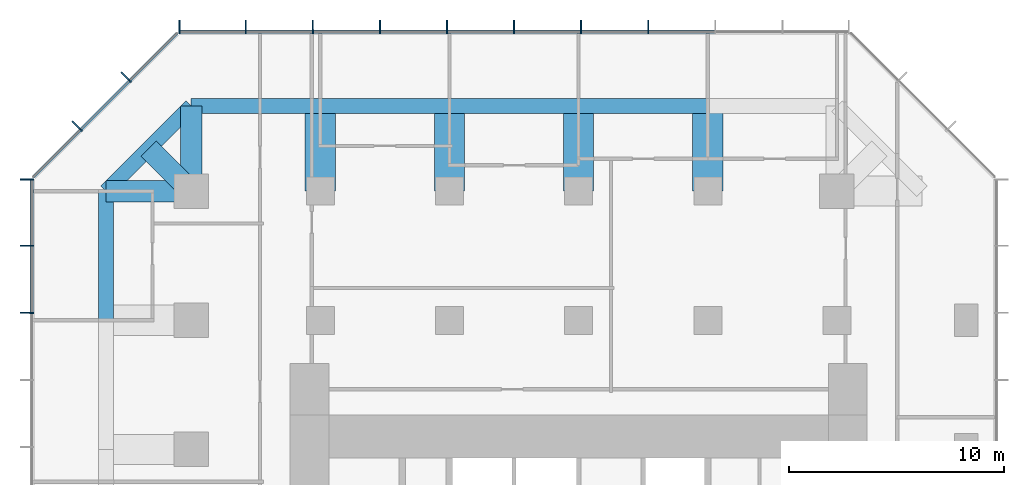
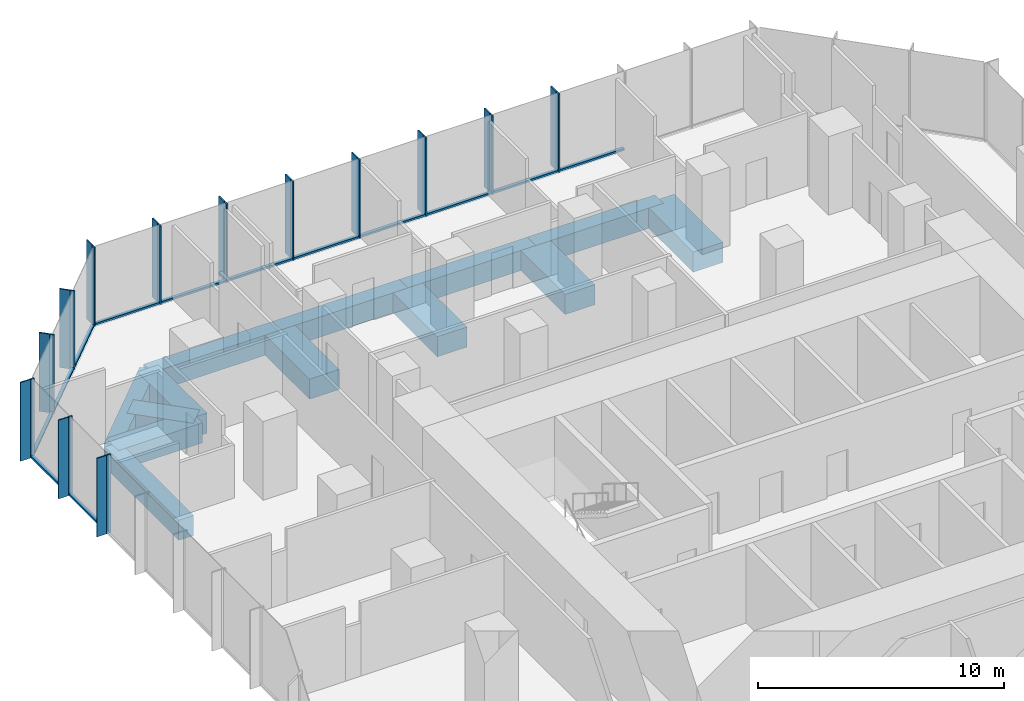
# One storey, part 5 of 11: 39 members, 13 beams, 3 elements without a shape of their own.
"""IFC4 building model written with IfcOpenShell, lengths in metres."""

from ifc_helpers import new_model, si_unit, direction, frame, origin, origin_2d, place, context, subcontext, project, spatial, rectangle, extrude, material, layer, layer_set, material_profile, profile_set, type_object, element, aggregate, save


model = new_model("IFC4")

# Units and contexts
model_context = context("Model", 3, precision=1e-05, world=origin(), true_north=direction((0.0, 1.0)))
body_context = subcontext(model_context, "Body", "Model", "MODEL_VIEW")
ifc_project = project(units=[si_unit("LENGTHUNIT", "METRE"), si_unit("AREAUNIT", "SQUARE_METRE"), si_unit("VOLUMEUNIT", "CUBIC_METRE"), si_unit("PLANEANGLEUNIT", "RADIAN"), si_unit("MASSUNIT", "GRAM", prefix="KILO")], contexts=[model_context])

# Site, building, storey
site_placement = place(None, origin())
site = spatial("IfcSite", under=ifc_project, at=site_placement, CompositionType="ELEMENT")
building_placement = place(site_placement, origin())
building = spatial("IfcBuilding", under=site, at=building_placement, Name="Highveld Stack Headquarters", CompositionType="ELEMENT")
storey_placement = place(building_placement, frame((0.0, 0.0, 192.800048828125)))
storey = spatial("IfcBuildingStorey", under=building, at=storey_placement, Name="L47", CompositionType="ELEMENT", Elevation=192.800048828125)

# Beams
ifc_material_1 = material(Name="Concrete C60/75", Category="concrete")
ifc_material_profile_1 = material_profile(ifc_material_1, rectangle(XDim=1.0, YDim=1.0, at=origin_2d()), Name="RC 1000x1000")
ifc_profile_set_1 = profile_set([ifc_material_profile_1], Name="Concrete C60/75")
beam_type_1 = type_object("IfcBeamType", Name="CANTILEVER RIB RC 1000x1000", PredefinedType="USERDEFINED", material=ifc_profile_set_1)
for number, where, z_axis, x_axis, name in (
    (1, (-12.0, 24.0, -0.75), (-1.0, 0.0, 0.0), (0.0, -1.0, 0.0), "Cantilever rib 4/J L47"),
    (2, (-12.0, 24.0, -0.75), (0.0, 1.0, 0.0), (-1.0, 0.0, 0.0), "Cantilever rib 4/J L47"),
):
    element("IfcBeam", number, at=place(storey_placement, frame(where, z_axis=z_axis, x_axis=x_axis)), inside=storey, type_object=beam_type_1, Name=name, ObjectType="CANTILEVER RIB", PredefinedType="USERDEFINED", context=body_context, shape_type="SweptSolid", body=[
        extrude(rectangle(XDim=1.0, YDim=1.0, at=origin_2d()), origin(), (0.0, 0.0, 1.0), 3.949951171875),
    ])
beam_1_placement = place(storey_placement, frame((-12.0, 24.0, -0.75), z_axis=(-0.707106781187, 0.707106781187, 0.0), x_axis=(-0.707106781187, -0.707106781187, 0.0)))
element("IfcBeam", 3, at=beam_1_placement, inside=storey, type_object=beam_type_1, Name="Cantilever rib 4/J L47", ObjectType="CANTILEVER RIB", PredefinedType="USERDEFINED", context=body_context, shape_type="SweptSolid", body=[
    extrude(rectangle(XDim=1.0, YDim=1.0, at=origin_2d()), origin(), (0.0, 0.0, 1.0), 2.793212890625),
])
ifc_material_2 = material(Name="Concrete C60/75", Category="concrete")
ifc_material_profile_2 = material_profile(ifc_material_2, rectangle(XDim=1.39990234375, YDim=1.0, at=origin_2d()), Name="RC 1400x1000")
ifc_profile_set_2 = profile_set([ifc_material_profile_2], Name="Concrete C60/75")
beam_type_2 = type_object("IfcBeamType", Name="CANTILEVER RIB RC 1400x1000", PredefinedType="USERDEFINED", material=ifc_profile_set_2)
for number, where, z_axis, x_axis, name in (
    (4, (-6.0, 24.0, -0.75), (0.0, 1.0, 0.0), (-1.0, 0.0, 0.0), "Cantilever rib 5/J L47"),
    (5, (0.0, 24.0, -0.75), (0.0, 1.0, 0.0), (-1.0, 0.0, 0.0), "Cantilever rib 6/J L47"),
    (6, (6.0, 24.0, -0.75), (0.0, 1.0, 0.0), (-1.0, 0.0, 0.0), "Cantilever rib 7/J L47"),
    (7, (12.0, 24.0, -0.75), (0.0, 1.0, 0.0), (-1.0, 0.0, 0.0), "Cantilever rib 8/J L47"),
):
    element("IfcBeam", number, at=place(storey_placement, frame(where, z_axis=z_axis, x_axis=x_axis)), inside=storey, type_object=beam_type_2, Name=name, ObjectType="CANTILEVER RIB", PredefinedType="USERDEFINED", context=body_context, shape_type="SweptSolid", body=[
        extrude(rectangle(XDim=1.39990234375, YDim=1.0, at=origin_2d()), origin(), (0.0, 0.0, 1.0), 3.949951171875),
    ])

# Curtain wall, members
ifc_material_3 = material(Name="Aluminium bronze anodised", Category="aluminium")
ifc_layer_1 = layer(ifc_material_3, 0.199951171875)
ifc_layer_set_1 = layer_set([ifc_layer_1], Name="Aluminium bronze anodised")
curtain_wall_type_1 = type_object("IfcCurtainWallType", Name="CW1 TOWER UNITISED CURTAIN WALL", PredefinedType="NOTDEFINED", material=ifc_layer_set_1)
curtain_wall_1_placement = place(storey_placement, origin())
curtain_wall_1 = element("IfcCurtainWall", 8, at=curtain_wall_1_placement, inside=storey, type_object=curtain_wall_type_1, Name="Curtain wall CW1 L47 N", PredefinedType="NOTDEFINED")
ifc_material_4 = material(Name="Aluminium bronze anodised", Category="aluminium")
ifc_material_profile_3 = material_profile(ifc_material_4, rectangle(XDim=0.449951171875, YDim=0.06005859375, at=origin_2d()), Name="FIN 450x60")
ifc_profile_set_3 = profile_set([ifc_material_profile_3], Name="Aluminium bronze anodised")
member_type_1 = type_object("IfcMemberType", Name="CW1 BRONZE FIN 450x60", PredefinedType="USERDEFINED", material=ifc_profile_set_3)
member_1_placement = place(storey_placement, frame((9.23193359375, 31.72509765625, 0.0), z_axis=(0.0, 0.0, 1.0), x_axis=(0.0, -1.0, 0.0)))
member_1 = element("IfcMember", 9, at=member_1_placement, type_object=member_type_1, Name="CW1 fin L47 4", ObjectType="FIN", PredefinedType="USERDEFINED", context=body_context, shape_type="SweptSolid", body=[
    extrude(rectangle(XDim=0.449951171875, YDim=0.06005859375, at=origin_2d()), origin(), (0.0, 0.0, 1.0), 3.89990234375),
])
member_2_placement = place(storey_placement, frame((6.115966796875, 31.72509765625, 0.0), z_axis=(0.0, 0.0, 1.0), x_axis=(0.0, -1.0, 0.0)))
member_2 = element("IfcMember", 10, at=member_2_placement, type_object=member_type_1, Name="CW1 fin L47 5", ObjectType="FIN", PredefinedType="USERDEFINED", context=body_context, shape_type="SweptSolid", body=[
    extrude(rectangle(XDim=0.449951171875, YDim=0.06005859375, at=origin_2d()), origin(), (0.0, 0.0, 1.0), 3.89990234375),
])
member_3_placement = place(storey_placement, frame((3.0, 31.72509765625, 0.0), z_axis=(0.0, 0.0, 1.0), x_axis=(0.0, -1.0, 0.0)))
member_3 = element("IfcMember", 11, at=member_3_placement, type_object=member_type_1, Name="CW1 fin L47 6", ObjectType="FIN", PredefinedType="USERDEFINED", context=body_context, shape_type="SweptSolid", body=[
    extrude(rectangle(XDim=0.449951171875, YDim=0.06005859375, at=origin_2d()), origin(), (0.0, 0.0, 1.0), 3.89990234375),
])
member_4_placement = place(storey_placement, frame((-0.115966796875, 31.72509765625, 0.0), z_axis=(0.0, 0.0, 1.0), x_axis=(0.0, -1.0, 0.0)))
member_4 = element("IfcMember", 12, at=member_4_placement, type_object=member_type_1, Name="CW1 fin L47 7", ObjectType="FIN", PredefinedType="USERDEFINED", context=body_context, shape_type="SweptSolid", body=[
    extrude(rectangle(XDim=0.449951171875, YDim=0.06005859375, at=origin_2d()), origin(), (0.0, 0.0, 1.0), 3.89990234375),
])
member_5_placement = place(storey_placement, frame((-3.23193359375, 31.72509765625, 0.0), z_axis=(0.0, 0.0, 1.0), x_axis=(0.0, -1.0, 0.0)))
member_5 = element("IfcMember", 13, at=member_5_placement, type_object=member_type_1, Name="CW1 fin L47 8", ObjectType="FIN", PredefinedType="USERDEFINED", context=body_context, shape_type="SweptSolid", body=[
    extrude(rectangle(XDim=0.449951171875, YDim=0.06005859375, at=origin_2d()), origin(), (0.0, 0.0, 1.0), 3.89990234375),
])
member_6_placement = place(storey_placement, frame((-6.347900390625, 31.72509765625, 0.0), z_axis=(0.0, 0.0, 1.0), x_axis=(0.0, -1.0, 0.0)))
member_6 = element("IfcMember", 14, at=member_6_placement, type_object=member_type_1, Name="CW1 fin L47 9", ObjectType="FIN", PredefinedType="USERDEFINED", context=body_context, shape_type="SweptSolid", body=[
    extrude(rectangle(XDim=0.449951171875, YDim=0.06005859375, at=origin_2d()), origin(), (0.0, 0.0, 1.0), 3.89990234375),
])
member_7_placement = place(storey_placement, frame((-9.4638671875, 31.72509765625, 0.0), z_axis=(0.0, 0.0, 1.0), x_axis=(0.0, -1.0, 0.0)))
member_7 = element("IfcMember", 15, at=member_7_placement, type_object=member_type_1, Name="CW1 fin L47 10", ObjectType="FIN", PredefinedType="USERDEFINED", context=body_context, shape_type="SweptSolid", body=[
    extrude(rectangle(XDim=0.449951171875, YDim=0.06005859375, at=origin_2d()), origin(), (0.0, 0.0, 1.0), 3.89990234375),
])
member_8_placement = place(storey_placement, frame((-12.54736328125, 31.72509765625, 0.0), z_axis=(0.0, 0.0, 1.0), x_axis=(0.0, -1.0, 0.0)))
member_8 = element("IfcMember", 16, at=member_8_placement, type_object=member_type_1, Name="CW1 fin L47 11", ObjectType="FIN", PredefinedType="USERDEFINED", context=body_context, shape_type="SweptSolid", body=[
    extrude(rectangle(XDim=0.449951171875, YDim=0.06005859375, at=origin_2d()), origin(), (0.0, 0.0, 1.0), 3.89990234375),
])

curtain_wall_2_placement = place(storey_placement, origin())
curtain_wall_2 = element("IfcCurtainWall", 17, at=curtain_wall_2_placement, inside=storey, type_object=curtain_wall_type_1, Name="Curtain wall CW1 L47 W", PredefinedType="NOTDEFINED")
member_9_placement = place(storey_placement, frame((-19.72509765625, 24.54736328125, 0.0), z_axis=(0.0, 0.0, 1.0), x_axis=(1.0, 0.0, 0.0)))
member_9 = element("IfcMember", 18, at=member_9_placement, type_object=member_type_1, Name="CW1 fin L47 1", ObjectType="FIN", PredefinedType="USERDEFINED", context=body_context, shape_type="SweptSolid", body=[
    extrude(rectangle(XDim=0.449951171875, YDim=0.06005859375, at=origin_2d()), origin(), (0.0, 0.0, 1.0), 3.89990234375),
])
member_10_placement = place(storey_placement, frame((-19.72509765625, 21.4638671875, 0.0), z_axis=(0.0, 0.0, 1.0), x_axis=(1.0, 0.0, 0.0)))
member_10 = element("IfcMember", 19, at=member_10_placement, type_object=member_type_1, Name="CW1 fin L47 2", ObjectType="FIN", PredefinedType="USERDEFINED", context=body_context, shape_type="SweptSolid", body=[
    extrude(rectangle(XDim=0.449951171875, YDim=0.06005859375, at=origin_2d()), origin(), (0.0, 0.0, 1.0), 3.89990234375),
])
member_11_placement = place(storey_placement, frame((-19.72509765625, 18.347900390625, 0.0), z_axis=(0.0, 0.0, 1.0), x_axis=(1.0, 0.0, 0.0)))
member_11 = element("IfcMember", 20, at=member_11_placement, type_object=member_type_1, Name="CW1 fin L47 3", ObjectType="FIN", PredefinedType="USERDEFINED", context=body_context, shape_type="SweptSolid", body=[
    extrude(rectangle(XDim=0.449951171875, YDim=0.06005859375, at=origin_2d()), origin(), (0.0, 0.0, 1.0), 3.89990234375),
])

# Member
ifc_material_5 = material(Name="Aluminium bronze anodised", Category="aluminium")
ifc_material_profile_4 = material_profile(ifc_material_5, rectangle(XDim=0.199951171875, YDim=0.06494140625, at=origin_2d()), Name="CW1 MULLION 65x200")
ifc_profile_set_4 = profile_set([ifc_material_profile_4], Name="Aluminium bronze anodised")
member_type_2 = type_object("IfcMemberType", Name="CW1 MULLION 65x200", PredefinedType="MULLION", material=ifc_profile_set_4)
member_12_placement = place(storey_placement, frame((9.23193359375, 31.39990234375, 0.0), z_axis=(0.0, 0.0, 1.0), x_axis=(0.0, -1.0, 0.0)))
member_12 = element("IfcMember", 21, at=member_12_placement, type_object=member_type_2, Name="CW1 mullion L47 4", PredefinedType="MULLION", context=body_context, shape_type="SweptSolid", body=[
    extrude(rectangle(XDim=0.199951171875, YDim=0.06494140625, at=origin_2d()), origin(), (0.0, 0.0, 1.0), 3.89990234375),
])

member_13_placement = place(storey_placement, frame((6.115966796875, 31.39990234375, 0.0), z_axis=(0.0, 0.0, 1.0), x_axis=(0.0, -1.0, 0.0)))
member_13 = element("IfcMember", 22, at=member_13_placement, type_object=member_type_2, Name="CW1 mullion L47 5", PredefinedType="MULLION", context=body_context, shape_type="SweptSolid", body=[
    extrude(rectangle(XDim=0.199951171875, YDim=0.06494140625, at=origin_2d()), origin(), (0.0, 0.0, 1.0), 3.89990234375),
])

member_14_placement = place(storey_placement, frame((3.0, 31.39990234375, 0.0), z_axis=(0.0, 0.0, 1.0), x_axis=(0.0, -1.0, 0.0)))
member_14 = element("IfcMember", 23, at=member_14_placement, type_object=member_type_2, Name="CW1 mullion L47 6", PredefinedType="MULLION", context=body_context, shape_type="SweptSolid", body=[
    extrude(rectangle(XDim=0.199951171875, YDim=0.06494140625, at=origin_2d()), origin(), (0.0, 0.0, 1.0), 3.89990234375),
])

member_15_placement = place(storey_placement, frame((-0.115966796875, 31.39990234375, 0.0), z_axis=(0.0, 0.0, 1.0), x_axis=(0.0, -1.0, 0.0)))
member_15 = element("IfcMember", 24, at=member_15_placement, type_object=member_type_2, Name="CW1 mullion L47 7", PredefinedType="MULLION", context=body_context, shape_type="SweptSolid", body=[
    extrude(rectangle(XDim=0.199951171875, YDim=0.06494140625, at=origin_2d()), origin(), (0.0, 0.0, 1.0), 3.89990234375),
])

member_16_placement = place(storey_placement, frame((-3.23193359375, 31.39990234375, 0.0), z_axis=(0.0, 0.0, 1.0), x_axis=(0.0, -1.0, 0.0)))
member_16 = element("IfcMember", 25, at=member_16_placement, type_object=member_type_2, Name="CW1 mullion L47 8", PredefinedType="MULLION", context=body_context, shape_type="SweptSolid", body=[
    extrude(rectangle(XDim=0.199951171875, YDim=0.06494140625, at=origin_2d()), origin(), (0.0, 0.0, 1.0), 3.89990234375),
])

member_17_placement = place(storey_placement, frame((-6.347900390625, 31.39990234375, 0.0), z_axis=(0.0, 0.0, 1.0), x_axis=(0.0, -1.0, 0.0)))
member_17 = element("IfcMember", 26, at=member_17_placement, type_object=member_type_2, Name="CW1 mullion L47 9", PredefinedType="MULLION", context=body_context, shape_type="SweptSolid", body=[
    extrude(rectangle(XDim=0.199951171875, YDim=0.06494140625, at=origin_2d()), origin(), (0.0, 0.0, 1.0), 3.89990234375),
])

member_18_placement = place(storey_placement, frame((-9.4638671875, 31.39990234375, 0.0), z_axis=(0.0, 0.0, 1.0), x_axis=(0.0, -1.0, 0.0)))
member_18 = element("IfcMember", 27, at=member_18_placement, type_object=member_type_2, Name="CW1 mullion L47 10", PredefinedType="MULLION", context=body_context, shape_type="SweptSolid", body=[
    extrude(rectangle(XDim=0.199951171875, YDim=0.06494140625, at=origin_2d()), origin(), (0.0, 0.0, 1.0), 3.89990234375),
])

member_19_placement = place(storey_placement, frame((-12.54736328125, 31.39990234375, 0.0), z_axis=(0.0, 0.0, 1.0), x_axis=(0.0, -1.0, 0.0)))
member_19 = element("IfcMember", 28, at=member_19_placement, type_object=member_type_2, Name="CW1 mullion L47 11", PredefinedType="MULLION", context=body_context, shape_type="SweptSolid", body=[
    extrude(rectangle(XDim=0.199951171875, YDim=0.06494140625, at=origin_2d()), origin(), (0.0, 0.0, 1.0), 3.89990234375),
])

member_20_placement = place(storey_placement, frame((-19.39990234375, 24.54736328125, 0.0), z_axis=(0.0, 0.0, 1.0), x_axis=(1.0, 0.0, 0.0)))
member_20 = element("IfcMember", 29, at=member_20_placement, type_object=member_type_2, Name="CW1 mullion L47 1", PredefinedType="MULLION", context=body_context, shape_type="SweptSolid", body=[
    extrude(rectangle(XDim=0.199951171875, YDim=0.06494140625, at=origin_2d()), origin(), (0.0, 0.0, 1.0), 3.89990234375),
])

member_21_placement = place(storey_placement, frame((-19.39990234375, 21.4638671875, 0.0), z_axis=(0.0, 0.0, 1.0), x_axis=(1.0, 0.0, 0.0)))
member_21 = element("IfcMember", 30, at=member_21_placement, type_object=member_type_2, Name="CW1 mullion L47 2", PredefinedType="MULLION", context=body_context, shape_type="SweptSolid", body=[
    extrude(rectangle(XDim=0.199951171875, YDim=0.06494140625, at=origin_2d()), origin(), (0.0, 0.0, 1.0), 3.89990234375),
])

member_22_placement = place(storey_placement, frame((-19.39990234375, 18.347900390625, 0.0), z_axis=(0.0, 0.0, 1.0), x_axis=(1.0, 0.0, 0.0)))
member_22 = element("IfcMember", 31, at=member_22_placement, type_object=member_type_2, Name="CW1 mullion L47 3", PredefinedType="MULLION", context=body_context, shape_type="SweptSolid", body=[
    extrude(rectangle(XDim=0.199951171875, YDim=0.06494140625, at=origin_2d()), origin(), (0.0, 0.0, 1.0), 3.89990234375),
])

ifc_material_6 = material(Name="Aluminium bronze anodised", Category="aluminium")
ifc_material_profile_5 = material_profile(ifc_material_6, rectangle(XDim=0.14990234375, YDim=0.10009765625, at=origin_2d()), Name="CW1 TRANSOM 150x100")
ifc_profile_set_5 = profile_set([ifc_material_profile_5], Name="Aluminium bronze anodised")
member_type_3 = type_object("IfcMemberType", Name="CW1 STACK TRANSOM 150x100", PredefinedType="USERDEFINED", material=ifc_profile_set_5)
member_23_placement = place(storey_placement, frame((12.3154296875, 31.39990234375, 0.050048828125), z_axis=(-1.0, 0.0, 0.0), x_axis=(0.0, -1.0, 0.0)))
member_23 = element("IfcMember", 32, at=member_23_placement, type_object=member_type_3, Name="CW1 transom L47 3.1", ObjectType="TRANSOM", PredefinedType="USERDEFINED", context=body_context, shape_type="SweptSolid", body=[
    extrude(rectangle(XDim=0.14990234375, YDim=0.10009765625, at=origin_2d()), origin(), (0.0, 0.0, 1.0), 3.051025390625),
])

member_24_placement = place(storey_placement, frame((9.199462890625, 31.39990234375, 0.050048828125), z_axis=(-1.0, 0.0, 0.0), x_axis=(0.0, -1.0, 0.0)))
member_24 = element("IfcMember", 33, at=member_24_placement, type_object=member_type_3, Name="CW1 transom L47 4.1", ObjectType="TRANSOM", PredefinedType="USERDEFINED", context=body_context, shape_type="SweptSolid", body=[
    extrude(rectangle(XDim=0.14990234375, YDim=0.10009765625, at=origin_2d()), origin(), (0.0, 0.0, 1.0), 3.051025390625),
])

member_25_placement = place(storey_placement, frame((6.08349609375, 31.39990234375, 0.050048828125), z_axis=(-1.0, 0.0, 0.0), x_axis=(0.0, -1.0, 0.0)))
member_25 = element("IfcMember", 34, at=member_25_placement, type_object=member_type_3, Name="CW1 transom L47 5.1", ObjectType="TRANSOM", PredefinedType="USERDEFINED", context=body_context, shape_type="SweptSolid", body=[
    extrude(rectangle(XDim=0.14990234375, YDim=0.10009765625, at=origin_2d()), origin(), (0.0, 0.0, 1.0), 3.051025390625),
])

member_26_placement = place(storey_placement, frame((2.967529296875, 31.39990234375, 0.050048828125), z_axis=(-1.0, 0.0, 0.0), x_axis=(0.0, -1.0, 0.0)))
member_26 = element("IfcMember", 35, at=member_26_placement, type_object=member_type_3, Name="CW1 transom L47 6.1", ObjectType="TRANSOM", PredefinedType="USERDEFINED", context=body_context, shape_type="SweptSolid", body=[
    extrude(rectangle(XDim=0.14990234375, YDim=0.10009765625, at=origin_2d()), origin(), (0.0, 0.0, 1.0), 3.051025390625),
])

member_27_placement = place(storey_placement, frame((-0.1484375, 31.39990234375, 0.050048828125), z_axis=(-1.0, 0.0, 0.0), x_axis=(0.0, -1.0, 0.0)))
member_27 = element("IfcMember", 36, at=member_27_placement, type_object=member_type_3, Name="CW1 transom L47 7.1", ObjectType="TRANSOM", PredefinedType="USERDEFINED", context=body_context, shape_type="SweptSolid", body=[
    extrude(rectangle(XDim=0.14990234375, YDim=0.10009765625, at=origin_2d()), origin(), (0.0, 0.0, 1.0), 3.051025390625),
])

member_28_placement = place(storey_placement, frame((-3.264404296875, 31.39990234375, 0.050048828125), z_axis=(-1.0, 0.0, 0.0), x_axis=(0.0, -1.0, 0.0)))
member_28 = element("IfcMember", 37, at=member_28_placement, type_object=member_type_3, Name="CW1 transom L47 8.1", ObjectType="TRANSOM", PredefinedType="USERDEFINED", context=body_context, shape_type="SweptSolid", body=[
    extrude(rectangle(XDim=0.14990234375, YDim=0.10009765625, at=origin_2d()), origin(), (0.0, 0.0, 1.0), 3.051025390625),
])

member_29_placement = place(storey_placement, frame((-6.38037109375, 31.39990234375, 0.050048828125), z_axis=(-1.0, 0.0, 0.0), x_axis=(0.0, -1.0, 0.0)))
member_29 = element("IfcMember", 38, at=member_29_placement, type_object=member_type_3, Name="CW1 transom L47 9.1", ObjectType="TRANSOM", PredefinedType="USERDEFINED", context=body_context, shape_type="SweptSolid", body=[
    extrude(rectangle(XDim=0.14990234375, YDim=0.10009765625, at=origin_2d()), origin(), (0.0, 0.0, 1.0), 3.051025390625),
])

member_30_placement = place(storey_placement, frame((-9.496337890625, 31.39990234375, 0.050048828125), z_axis=(-1.0, 0.0, 0.0), x_axis=(0.0, -1.0, 0.0)))
member_30 = element("IfcMember", 39, at=member_30_placement, type_object=member_type_3, Name="CW1 transom L47 10.1", ObjectType="TRANSOM", PredefinedType="USERDEFINED", context=body_context, shape_type="SweptSolid", body=[
    extrude(rectangle(XDim=0.14990234375, YDim=0.10009765625, at=origin_2d()), origin(), (0.0, 0.0, 1.0), 3.0185546875),
])

aggregate(curtain_wall_1, [member_12, member_1, member_13, member_2, member_14, member_3, member_15, member_4, member_16, member_5, member_17, member_6, member_18, member_7, member_19, member_8, member_23, member_24, member_25, member_26, member_27, member_28, member_29, member_30])

member_31_placement = place(storey_placement, frame((-19.39990234375, 24.514892578125, 0.050048828125), z_axis=(0.0, -1.0, 0.0), x_axis=(1.0, 0.0, 0.0)))
member_31 = element("IfcMember", 40, at=member_31_placement, type_object=member_type_3, Name="CW1 transom L47 1.1", ObjectType="TRANSOM", PredefinedType="USERDEFINED", context=body_context, shape_type="SweptSolid", body=[
    extrude(rectangle(XDim=0.14990234375, YDim=0.10009765625, at=origin_2d()), origin(), (0.0, 0.0, 1.0), 3.0185546875),
])

member_32_placement = place(storey_placement, frame((-19.39990234375, 21.431396484375, 0.050048828125), z_axis=(0.0, -1.0, 0.0), x_axis=(1.0, 0.0, 0.0)))
member_32 = element("IfcMember", 41, at=member_32_placement, type_object=member_type_3, Name="CW1 transom L47 2.1", ObjectType="TRANSOM", PredefinedType="USERDEFINED", context=body_context, shape_type="SweptSolid", body=[
    extrude(rectangle(XDim=0.14990234375, YDim=0.10009765625, at=origin_2d()), origin(), (0.0, 0.0, 1.0), 3.051025390625),
])

aggregate(curtain_wall_2, [member_20, member_9, member_21, member_10, member_22, member_11, member_31, member_32])

# Curtain wall, members
ifc_material_7 = material(Name="Aluminium bronze anodised", Category="aluminium")
ifc_layer_2 = layer(ifc_material_7, 0.199951171875)
ifc_layer_set_2 = layer_set([ifc_layer_2], Name="Aluminium bronze anodised")
curtain_wall_type_2 = type_object("IfcCurtainWallType", Name="CW2 TOWER CHAMFER UNITISED CURTAIN WALL", PredefinedType="NOTDEFINED", material=ifc_layer_set_2)
curtain_wall_3_placement = place(storey_placement, origin())
curtain_wall_3 = element("IfcCurtainWall", 42, at=curtain_wall_3_placement, inside=storey, type_object=curtain_wall_type_2, Name="Curtain wall CW2 L47 NW", PredefinedType="NOTDEFINED")
ifc_material_8 = material(Name="Aluminium bronze anodised", Category="aluminium")
ifc_material_profile_6 = material_profile(ifc_material_8, rectangle(XDim=0.449951171875, YDim=0.06005859375, at=origin_2d()), Name="FIN 450x60")
ifc_profile_set_6 = profile_set([ifc_material_profile_6], Name="Aluminium bronze anodised")
member_type_4 = type_object("IfcMemberType", Name="CW2 BRONZE FIN 450x60", PredefinedType="USERDEFINED", material=ifc_profile_set_6)
member_33_placement = place(storey_placement, frame((-15.0830078125, 29.3564453125, 0.0), z_axis=(0.0, 0.0, 1.0), x_axis=(0.707106781187, -0.707106781187, 0.0)))
member_33 = element("IfcMember", 43, at=member_33_placement, type_object=member_type_4, Name="CW2 fin L47 1", ObjectType="FIN", PredefinedType="USERDEFINED", context=body_context, shape_type="SweptSolid", body=[
    extrude(rectangle(XDim=0.449951171875, YDim=0.06005859375, at=origin_2d()), origin(), (0.0, 0.0, 1.0), 3.89990234375),
])
member_34_placement = place(storey_placement, frame((-17.3564453125, 27.0830078125, 0.0), z_axis=(0.0, 0.0, 1.0), x_axis=(0.707106781187, -0.707106781187, 0.0)))
member_34 = element("IfcMember", 44, at=member_34_placement, type_object=member_type_4, Name="CW2 fin L47 2", ObjectType="FIN", PredefinedType="USERDEFINED", context=body_context, shape_type="SweptSolid", body=[
    extrude(rectangle(XDim=0.449951171875, YDim=0.06005859375, at=origin_2d()), origin(), (0.0, 0.0, 1.0), 3.89990234375),
])
ifc_material_9 = material(Name="Aluminium bronze anodised", Category="aluminium")
ifc_material_profile_7 = material_profile(ifc_material_9, rectangle(XDim=0.199951171875, YDim=0.06494140625, at=origin_2d()), Name="CW2 MULLION 65x200")
ifc_profile_set_7 = profile_set([ifc_material_profile_7], Name="Aluminium bronze anodised")
member_type_5 = type_object("IfcMemberType", Name="CW2 MULLION 65x200", PredefinedType="MULLION", material=ifc_profile_set_7)
member_35_placement = place(storey_placement, frame((-14.853271484375, 29.126708984375, 0.0), z_axis=(0.0, 0.0, 1.0), x_axis=(0.707106781187, -0.707106781187, 0.0)))
member_35 = element("IfcMember", 45, at=member_35_placement, type_object=member_type_5, Name="CW2 mullion L47 1", PredefinedType="MULLION", context=body_context, shape_type="SweptSolid", body=[
    extrude(rectangle(XDim=0.199951171875, YDim=0.06494140625, at=origin_2d()), origin(), (0.0, 0.0, 1.0), 3.89990234375),
])
member_36_placement = place(storey_placement, frame((-17.126708984375, 26.853271484375, 0.0), z_axis=(0.0, 0.0, 1.0), x_axis=(0.707106781187, -0.707106781187, 0.0)))
member_36 = element("IfcMember", 46, at=member_36_placement, type_object=member_type_5, Name="CW2 mullion L47 2", PredefinedType="MULLION", context=body_context, shape_type="SweptSolid", body=[
    extrude(rectangle(XDim=0.199951171875, YDim=0.06494140625, at=origin_2d()), origin(), (0.0, 0.0, 1.0), 3.89990234375),
])
ifc_material_10 = material(Name="Aluminium bronze anodised", Category="aluminium")
ifc_material_profile_8 = material_profile(ifc_material_10, rectangle(XDim=0.14990234375, YDim=0.10009765625, at=origin_2d()), Name="CW2 TRANSOM 150x100")
ifc_profile_set_8 = profile_set([ifc_material_profile_8], Name="Aluminium bronze anodised")
member_type_6 = type_object("IfcMemberType", Name="CW2 STACK TRANSOM 150x100", PredefinedType="USERDEFINED", material=ifc_profile_set_8)
member_37_placement = place(storey_placement, frame((-12.650634765625, 31.329345703125, 0.050048828125), z_axis=(-0.707106781187, -0.707106781187, 0.0), x_axis=(0.707106781187, -0.707106781187, 0.0)))
member_37 = element("IfcMember", 47, at=member_37_placement, type_object=member_type_6, Name="CW2 transom L47 1.1", ObjectType="TRANSOM", PredefinedType="USERDEFINED", context=body_context, shape_type="SweptSolid", body=[
    extrude(rectangle(XDim=0.14990234375, YDim=0.10009765625, at=origin_2d()), origin(), (0.0, 0.0, 1.0), 3.08251953125),
])
member_38_placement = place(storey_placement, frame((-14.876220703125, 29.103759765625, 0.050048828125), z_axis=(-0.707106781187, -0.707106781187, 0.0), x_axis=(0.707106781187, -0.707106781187, 0.0)))
member_38 = element("IfcMember", 48, at=member_38_placement, type_object=member_type_6, Name="CW2 transom L47 2.1", ObjectType="TRANSOM", PredefinedType="USERDEFINED", context=body_context, shape_type="SweptSolid", body=[
    extrude(rectangle(XDim=0.14990234375, YDim=0.10009765625, at=origin_2d()), origin(), (0.0, 0.0, 1.0), 3.150146484375),
])
member_39_placement = place(storey_placement, frame((-17.149658203125, 26.830322265625, 0.050048828125), z_axis=(-0.707106781187, -0.707106781187, 0.0), x_axis=(0.707106781187, -0.707106781187, 0.0)))
member_39 = element("IfcMember", 49, at=member_39_placement, type_object=member_type_6, Name="CW2 transom L47 3.1", ObjectType="TRANSOM", PredefinedType="USERDEFINED", context=body_context, shape_type="SweptSolid", body=[
    extrude(rectangle(XDim=0.14990234375, YDim=0.10009765625, at=origin_2d()), origin(), (0.0, 0.0, 1.0), 3.08251953125),
])
aggregate(curtain_wall_3, [member_35, member_33, member_36, member_34, member_37, member_38, member_39])

# Beams
ifc_material_11 = material(Name="Concrete C60/75", Category="concrete")
ifc_material_profile_9 = material_profile(ifc_material_11, rectangle(XDim=0.699951171875, YDim=1.0, at=origin_2d()), Name="RC 700x1000")
ifc_profile_set_9 = profile_set([ifc_material_profile_9], Name="Concrete C60/75")
beam_type_3 = type_object("IfcBeamType", Name="RIB TIP BEAM RC 700x1000", PredefinedType="SPANDREL", material=ifc_profile_set_9)
for number, where, z_axis, x_axis, name in (
    (50, (-15.949951171875, 18.0, -0.75), (0.0, 1.0, 0.0), (-1.0, 0.0, 0.0), "Rib tip beam 4/H to 4/J L47"),
    (51, (-12.0, 27.949951171875, -0.75), (1.0, 0.0, 0.0), (0.0, 1.0, 0.0), "Rib tip beam 4/J to 5/J L47"),
    (52, (-6.0, 27.949951171875, -0.75), (1.0, 0.0, 0.0), (0.0, 1.0, 0.0), "Rib tip beam 5/J to 6/J L47"),
    (53, (0.0, 27.949951171875, -0.75), (1.0, 0.0, 0.0), (0.0, 1.0, 0.0), "Rib tip beam 6/J to 7/J L47"),
    (54, (6.0, 27.949951171875, -0.75), (1.0, 0.0, 0.0), (0.0, 1.0, 0.0), "Rib tip beam 7/J to 8/J L47"),
):
    element("IfcBeam", number, at=place(storey_placement, frame(where, z_axis=z_axis, x_axis=x_axis)), inside=storey, type_object=beam_type_3, Name=name, PredefinedType="SPANDREL", context=body_context, shape_type="SweptSolid", body=[
        extrude(rectangle(XDim=0.699951171875, YDim=1.0, at=origin_2d()), origin(), (0.0, 0.0, 1.0), 6.0),
    ])
beam_2_placement = place(storey_placement, frame((-15.949951171875, 24.0, -0.75), z_axis=(0.707106781187, 0.707106781187, 0.0), x_axis=(-0.707106781187, 0.707106781187, 0.0)))
element("IfcBeam", 55, at=beam_2_placement, inside=storey, type_object=beam_type_3, Name="Rib tip beam 4/J corner L47", PredefinedType="SPANDREL", context=body_context, shape_type="SweptSolid", body=[
    extrude(rectangle(XDim=0.699951171875, YDim=1.0, at=origin_2d()), origin(), (0.0, 0.0, 1.0), 5.586181640625),
])

save(model, "model.ifc")
